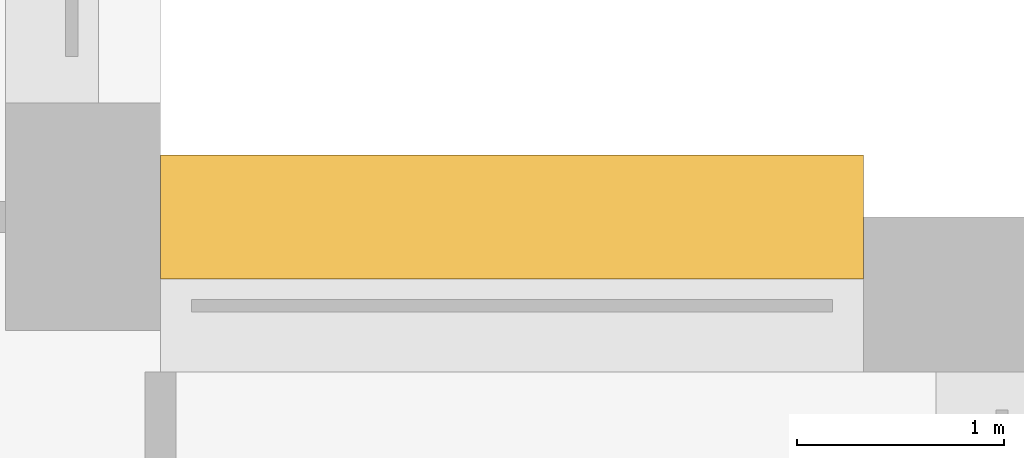
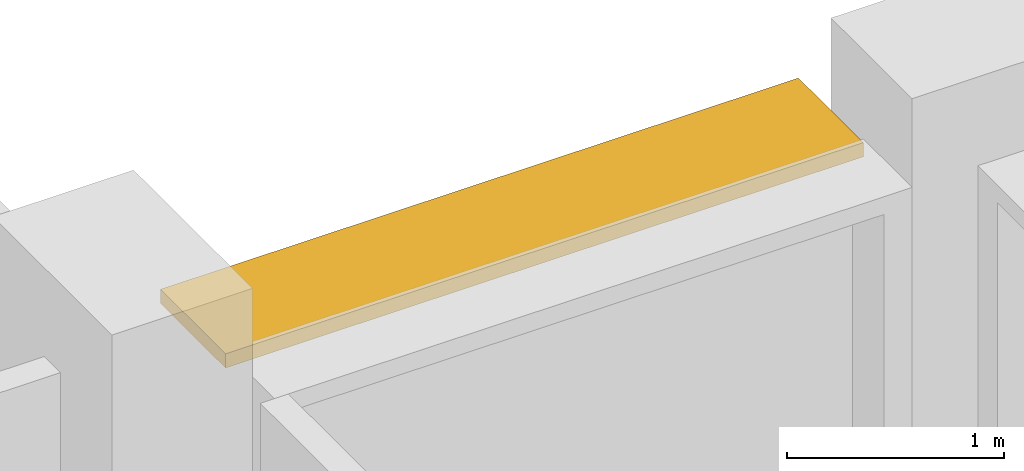
# One storey, part 17 of 17: 1 shading device.
"""IFC4 building model written with IfcOpenShell, lengths in metres."""

from ifc_helpers import new_model, si_unit, direction, frame, origin, origin_2d, place, context, subcontext, project, spatial, rectangle, extrude, material, layer, layer_set, type_object, element, save


model = new_model("IFC4")

# Units and contexts
model_context = context("Model", 3, precision=1e-05, world=origin(), true_north=direction((0.0, 1.0)))
body_context = subcontext(model_context, "Body", "Model", "MODEL_VIEW")
ifc_project = project(units=[si_unit("LENGTHUNIT", "METRE"), si_unit("AREAUNIT", "SQUARE_METRE"), si_unit("VOLUMEUNIT", "CUBIC_METRE"), si_unit("PLANEANGLEUNIT", "RADIAN"), si_unit("MASSUNIT", "GRAM", prefix="KILO")], contexts=[model_context])

# Site, building, storey
site_placement = place(None, origin())
site = spatial("IfcSite", under=ifc_project, at=site_placement, CompositionType="ELEMENT")
building_placement = place(site_placement, origin())
building = spatial("IfcBuilding", under=site, at=building_placement, Name="Brigalow Station Residences", CompositionType="ELEMENT")
storey_placement = place(building_placement, frame((0.0, 0.0, 127.64990234375)))
storey = spatial("IfcBuildingStorey", under=building, at=storey_placement, Name="L37", CompositionType="ELEMENT", Elevation=127.64990234375)

# Shading device
ifc_material = material(Name="Powder-coated extruded aluminium blade", Category="aluminium")
ifc_layer = layer(ifc_material, 0.080078125)
ifc_layer_set = layer_set([ifc_layer], Name="SUNSHADE BLADE 600x80")
shading_device_type = type_object("IfcShadingDeviceType", Name="SUNSHADE BLADE 600x80", PredefinedType="JALOUSIE", material=ifc_layer_set)
shading_device_placement = place(storey_placement, frame((73.699951171875, 41.0, 2.550048828125), z_axis=(0.0, 0.0, 1.0), x_axis=(-1.0, 0.0, 0.0)))
element("IfcShadingDevice", 1, at=shading_device_placement, inside=storey, type_object=shading_device_type, Name="L37/blade/W-L37-21", PredefinedType="JALOUSIE", context=body_context, shape_type="SweptSolid", body=[
    extrude(rectangle(XDim=3.39990234375, YDim=0.60009765625, at=origin_2d()), origin(), (0.0, 0.0, 1.0), 0.080078125),
])

save(model, "model.ifc")
